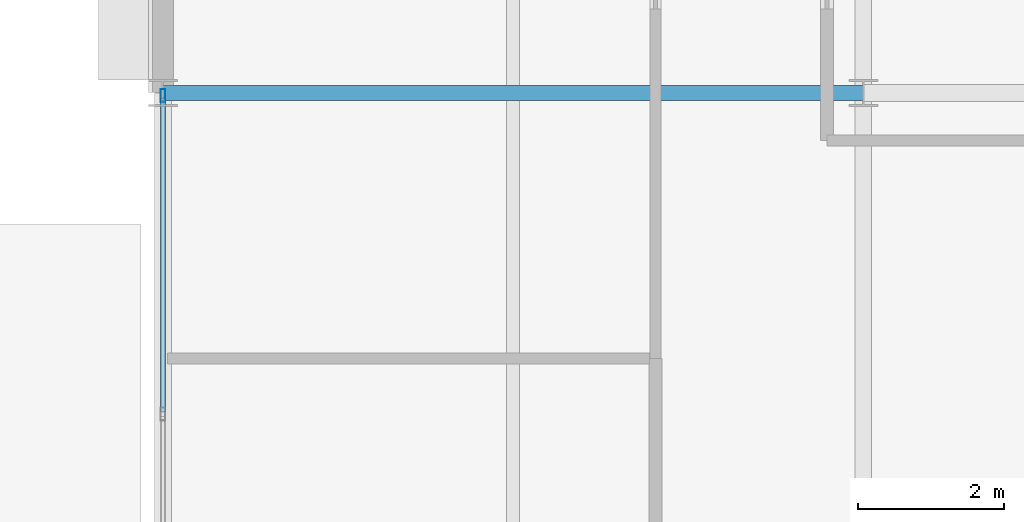
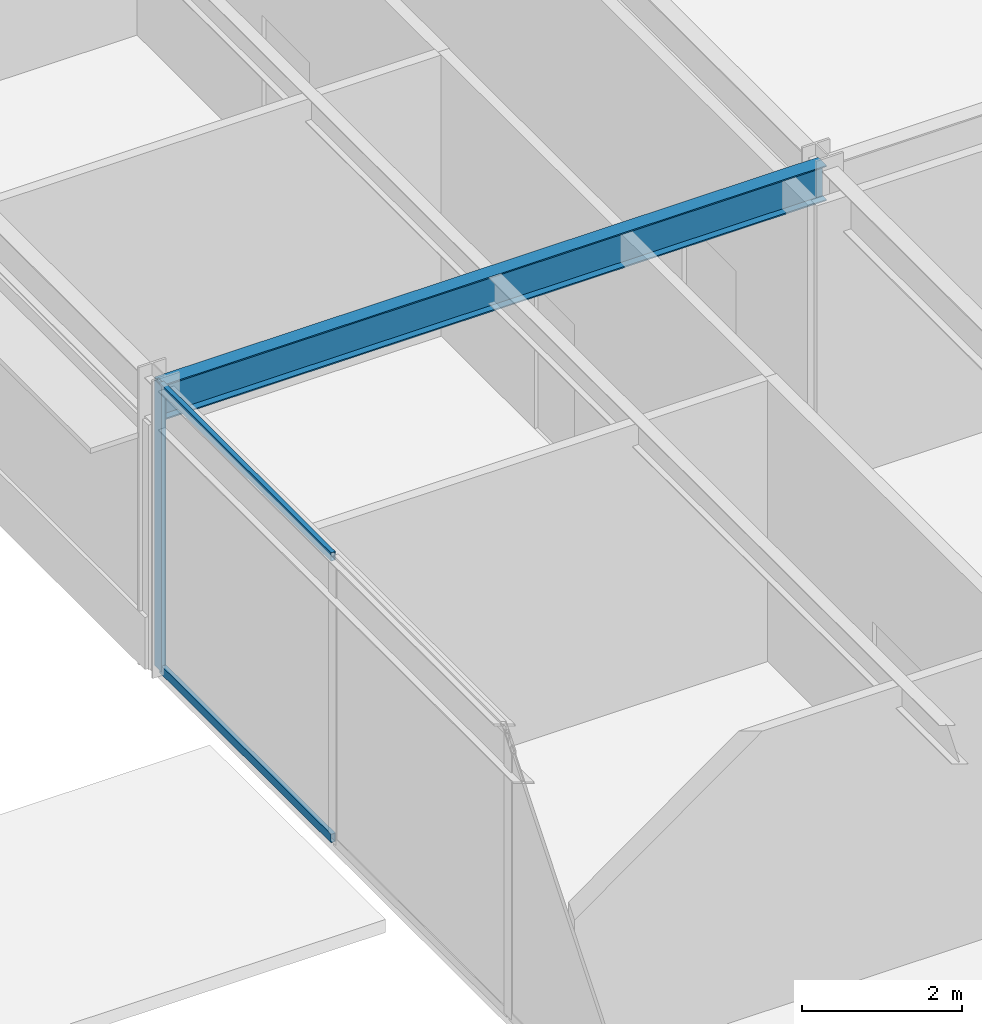
# One storey, part 88 of 133: 3 members, 1 beam, 1 element without a shape of its own.
"""IFC4 building model written with IfcOpenShell, lengths in metres."""

from ifc_helpers import new_model, si_unit, direction, frame, origin, origin_2d, place, context, subcontext, project, spatial, hollow_rectangle, i_section, extrude, material, material_profile, profile_set, type_object, element, aggregate, save


model = new_model("IFC4")

# Units and contexts
model_context = context("Model", 3, precision=1e-05, world=origin(), true_north=direction((0.0, 1.0)))
body_context = subcontext(model_context, "Body", "Model", "MODEL_VIEW")
ifc_project = project(units=[si_unit("LENGTHUNIT", "METRE"), si_unit("AREAUNIT", "SQUARE_METRE"), si_unit("VOLUMEUNIT", "CUBIC_METRE"), si_unit("PLANEANGLEUNIT", "RADIAN"), si_unit("MASSUNIT", "GRAM", prefix="KILO")], contexts=[model_context])

# Site, building, storey
site_placement = place(None, origin())
site = spatial("IfcSite", under=ifc_project, at=site_placement, CompositionType="ELEMENT")
building_placement = place(site_placement, origin())
building = spatial("IfcBuilding", under=site, at=building_placement, Name="Almandine Court Research Institute", CompositionType="ELEMENT")
storey_placement = place(building_placement, frame((0.0, 0.0, 9.800048828125)))
storey = spatial("IfcBuildingStorey", under=building, at=storey_placement, Name="L02", CompositionType="ELEMENT", Elevation=9.800048828125)

# Beam
ifc_material_1 = material(Name="Steel ASTM A992 Grade 50", Category="steel")
ifc_material_profile_1 = material_profile(ifc_material_1, i_section(OverallWidth=0.2109375, OverallDepth=0.5390625, WebThickness=0.011962890625, FlangeThickness=0.01904296875, at=origin_2d()), Name="W530x109")
ifc_profile_set_1 = profile_set([ifc_material_profile_1], Name="Steel ASTM A992 Grade 50")
beam_type = type_object("IfcBeamType", Name="Beam-G-04", PredefinedType="BEAM", material=ifc_profile_set_1)
beam_placement = place(storey_placement, frame((153.60009765625, 57.60009765625, 4.099853515625), z_axis=(1.0, 0.0, 0.0), x_axis=(0.0, 1.0, 0.0)))
element("IfcBeam", 1, at=beam_placement, inside=storey, type_object=beam_type, Name="L02 V4 Primary X Girder", PredefinedType="BEAM", context=body_context, shape_type="SweptSolid", body=[
    extrude(i_section(OverallWidth=0.2109375, OverallDepth=0.5390625, WebThickness=0.011962890625, FlangeThickness=0.01904296875, at=origin_2d()), origin(), (0.0, 0.0, 1.0), 9.599853515625),
])

# Curtain wall, members
ifc_material_2 = material(Name="Unitised Curtain Wall Framing and Solar Glazing", Category="glass")
curtain_wall_type = type_object("IfcCurtainWallType", Name="CW-CWJ-15", PredefinedType="USERDEFINED", material=ifc_material_2)
curtain_wall_placement = place(storey_placement, origin())
curtain_wall = element("IfcCurtainWall", 2, at=curtain_wall_placement, inside=storey, type_object=curtain_wall_type, Name="L02 Wet Lab West Courtyard Jali Curtain Wall 5", ObjectType="SOLAR JALI SCREEN", PredefinedType="USERDEFINED")
ifc_material_3 = material(Name="Anodised Aluminium AW-6063-T6", Category="aluminium")
ifc_material_profile_2 = material_profile(ifc_material_3, hollow_rectangle(XDim=0.06494140625, YDim=0.179931640625, WallThickness=0.00390625, at=origin_2d()), Name="ALU RHS 65x180x4")
ifc_profile_set_2 = profile_set([ifc_material_profile_2], Name="Anodised Aluminium AW-6063-T6")
member_type_1 = type_object("IfcMemberType", Name="CWMul-65x180", PredefinedType="MULLION", material=ifc_profile_set_2)
member_1_placement = place(storey_placement, frame((153.60009765625, 57.5634765625, 0.0), z_axis=(0.0, 0.0, 1.0), x_axis=(-1.0, 0.0, 0.0)))
member_1 = element("IfcMember", 3, at=member_1_placement, type_object=member_type_1, Name="CWJ-15 mullion 4", PredefinedType="MULLION", context=body_context, shape_type="SweptSolid", body=[
    extrude(hollow_rectangle(XDim=0.06494140625, YDim=0.179931640625, WallThickness=0.00390625, at=origin_2d()), origin(), (0.0, 0.0, 1.0), 4.369873046875),
])
ifc_material_profile_3 = material_profile(ifc_material_3, hollow_rectangle(XDim=0.06494140625, YDim=0.1298828125, WallThickness=0.00390625, at=origin_2d()), Name="ALU RHS 65x130x4")
ifc_profile_set_3 = profile_set([ifc_material_profile_3], Name="Anodised Aluminium AW-6063-T6")
member_type_2 = type_object("IfcMemberType", Name="CWTrn-65x130", PredefinedType="NOTDEFINED", material=ifc_profile_set_3)
member_2_placement = place(storey_placement, frame((153.60009765625, 53.231201171875, 0.032470703125), z_axis=(0.0, 1.0, 0.0), x_axis=(-1.0, 0.0, 0.0)))
member_2 = element("IfcMember", 4, at=member_2_placement, type_object=member_type_2, Name="CWJ-15 transom 3.1", ObjectType="TRANSOM", PredefinedType="USERDEFINED", context=body_context, shape_type="SweptSolid", body=[
    extrude(hollow_rectangle(XDim=0.06494140625, YDim=0.1298828125, WallThickness=0.00390625, at=origin_2d()), origin(), (0.0, 0.0, 1.0), 4.2998046875),
])
member_3_placement = place(storey_placement, frame((153.60009765625, 53.231201171875, 4.33740234375), z_axis=(0.0, 1.0, 0.0), x_axis=(-1.0, 0.0, 0.0)))
member_3 = element("IfcMember", 5, at=member_3_placement, type_object=member_type_2, Name="CWJ-15 transom 3.2", ObjectType="TRANSOM", PredefinedType="USERDEFINED", context=body_context, shape_type="SweptSolid", body=[
    extrude(hollow_rectangle(XDim=0.06494140625, YDim=0.1298828125, WallThickness=0.00390625, at=origin_2d()), origin(), (0.0, 0.0, 1.0), 4.2998046875),
])
aggregate(curtain_wall, [member_1, member_2, member_3])

save(model, "model.ifc")
